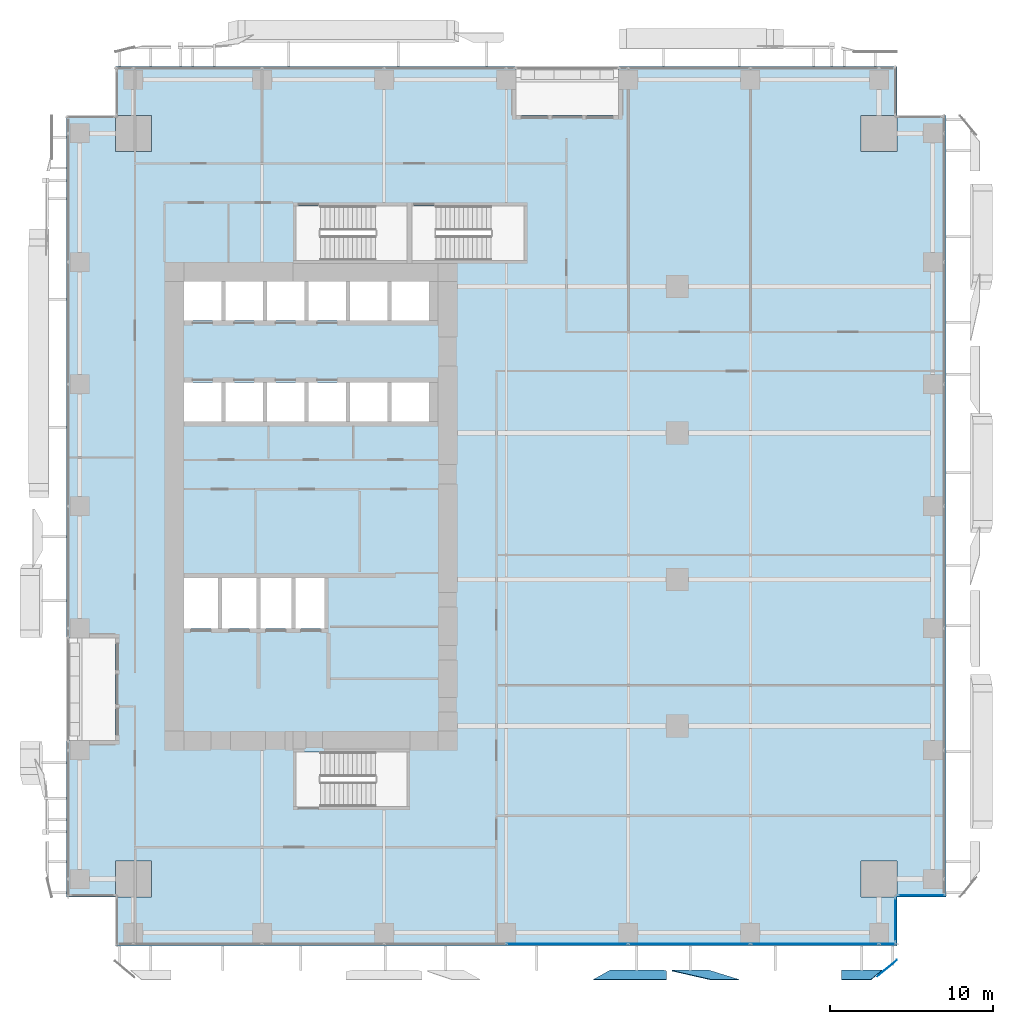
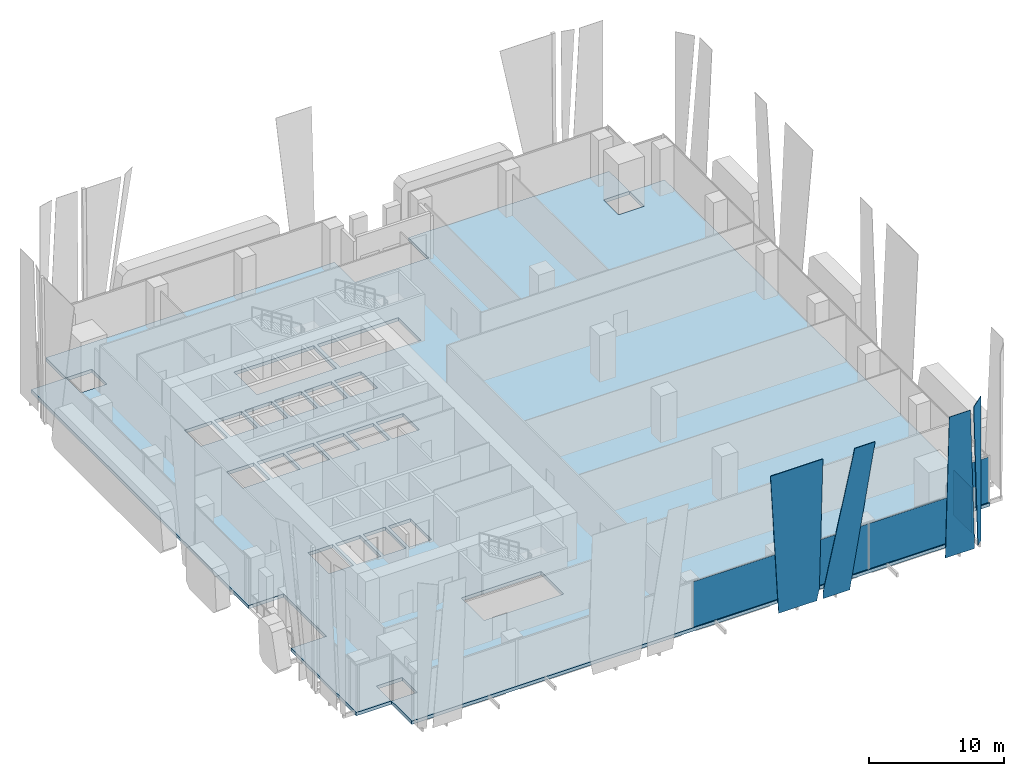
# One storey, part 24 of 36: 10 plates, 1 slab, 3 elements without a shape of their own.
"""IFC4 building model written with IfcOpenShell, lengths in metres."""

from ifc_helpers import new_model, si_unit, direction, frame, origin, origin_2d, place, context, subcontext, project, spatial, polyline, rectangle, outline, extrude, source, transform, mapped, material, layer, layer_set, type_object, element, aggregate, save


model = new_model("IFC4")

# Units and contexts
model_context = context("Model", 3, precision=1e-05, world=origin(), true_north=direction((0.0, 1.0)))
body_context = subcontext(model_context, "Body", "Model", "MODEL_VIEW")
ifc_project = project(units=[si_unit("LENGTHUNIT", "METRE"), si_unit("AREAUNIT", "SQUARE_METRE"), si_unit("VOLUMEUNIT", "CUBIC_METRE"), si_unit("PLANEANGLEUNIT", "RADIAN"), si_unit("MASSUNIT", "GRAM", prefix="KILO")], contexts=[model_context])

# Site, building, storey
site_placement = place(None, origin())
site = spatial("IfcSite", under=ifc_project, at=site_placement, CompositionType="ELEMENT")
building_placement = place(site_placement, origin())
building = spatial("IfcBuilding", under=site, at=building_placement, Name="Khomas Fold Tower", CompositionType="ELEMENT")
storey_placement = place(building_placement, frame((0.0, 0.0, 46.5)))
storey = spatial("IfcBuildingStorey", under=building, at=storey_placement, Name="L09", CompositionType="ELEMENT", Elevation=46.5)

# Plates
ifc_material_1 = material(Name="Clear laminated glass", Category="glass")
ifc_layer_1 = layer(ifc_material_1, 0.0400390625)
ifc_layer_set_1 = layer_set([ifc_layer_1], Name="Clear laminated glass")
plate_type_1 = type_object("IfcPlateType", Name="SK-Clear laminated glass leaf", PredefinedType="SHEET", material=ifc_layer_set_1)
plate_1_placement = place(storey_placement, frame((39.444091796875, -1.4912109375, 0.0), z_axis=(-9.493143e-06, 0.999042279575, 0.043755268614), x_axis=(-0.999999999955, -9.484051e-06, -4.15375e-07)))
element("IfcPlate", 1, at=plate_1_placement, inside=storey, type_object=plate_type_1, Name="OUTER SKIN glass L09 SG105-5", PredefinedType="SHEET", context=body_context, shape_type="SweptSolid", body=[
    extrude(outline(polyline([(0.0, 0.0), (2.2741699217725264, 2.407871064353579e-22), (2.2741699221340834, 0.6798519933286167), (-0.10205078145954606, 13.06255811922811), (-1.8398437501312415, 13.06255811922811), (0.0, 0.0)])), origin(), (0.0, 0.0, -1.0), 0.0400390625),
])
plate_2_placement = place(storey_placement, frame((36.63232421875, -1.4912109375, 0.0), z_axis=(8.362119e-06, 0.999042360684, 0.04375341689), x_axis=(-0.999999999965, 8.354111e-06, 3.65871e-07)))
element("IfcPlate", 2, at=plate_2_placement, inside=storey, type_object=plate_type_1, Name="OUTER SKIN glass L09 SG104-6", PredefinedType="SHEET", context=body_context, shape_type="SweptSolid", body=[
    extrude(outline(polyline([(0.0, 0.0), (3.2460937498865086, 0.0), (4.268310546711942, 13.06255811924748), (-0.19775390625691397, 13.06255811924748), (-0.19775390679618685, 1.0307751610440057), (0.0, 0.0)])), origin(), (0.0, 0.0, -1.0), 0.0400390625),
])
plate_3_placement = place(storey_placement, frame((50.09033203125, -1.4912109375, 0.0), z_axis=(0.0, 0.99904235518, 0.043753543365), x_axis=(-1.0, 0.0, 0.0)))
element("IfcPlate", 3, at=plate_3_placement, inside=storey, type_object=plate_type_1, Name="OUTER SKIN glass L09 SG107-7", PredefinedType="SHEET", context=body_context, shape_type="SweptSolid", body=[
    extrude(outline(polyline([(0.0, 0.0), (2.490234375, 0.0), (2.490234375, 13.062558119247587), (0.68603515625, 13.062558119247587), (0.0, 0.0)])), origin(), (0.0, 0.0, -1.0), 0.0400390625),
])
plate_4_placement = place(storey_placement, frame((50.49072265625, -1.324462890625, 0.0), z_axis=(0.640281800743, -0.768140101562, 3.139211e-06), x_axis=(-0.052426304264, -0.04369577443, 0.997668362693)))
element("IfcPlate", 4, at=plate_4_placement, inside=storey, type_object=plate_type_1, Name="OUTER SKIN glass L09 SG107-8", PredefinedType="SHEET", context=body_context, shape_type="SweptSolid", body=[
    extrude(outline(polyline([(0.0, 0.0), (13.080547921786561, 1.1102230246251565e-16), (12.97436981655017, -1.5521331613809566), (-0.04525103086649028, -0.6614887855036478), (0.0, 0.0)])), origin(), (0.0, 0.0, -1.0), 0.0400390625),
])

# Slab
ifc_material_2 = material(Name="Concrete C40/50", Category="concrete")
ifc_layer_2 = layer(ifc_material_2, 0.300048828125)
ifc_layer_set_2 = layer_set([ifc_layer_2], Name="Concrete C40/50")
slab_type = type_object("IfcSlabType", Name="RC floor slab 300", PredefinedType="FLOOR", material=ifc_layer_set_2)
shared_shape_1 = source(origin(), body_context, "Body", "SweptSolid", [
    extrude(outline(polyline([(0.0, 3.0), (2.9951171875, 3.0), (2.9951171875, 5.205078125), (5.205078125, 5.205078125), (5.205078125, 2.9951171875), (3.0, 2.9951171875), (3.0, 0.0), (51.0, 0.0), (51.0, 2.9951171875), (48.794921875, 2.9951171875), (48.794921875, 5.205078125), (51.0048828125, 5.205078125), (51.0048828125, 3.0), (54.0, 3.0), (54.0, 51.0), (51.0048828125, 51.0), (51.0048828125, 48.794921875), (48.794921875, 48.794921875), (48.794921875, 51.0048828125), (51.0, 51.0048828125), (51.0, 54.0), (33.89990234375, 54.0), (33.89990234375, 51.0), (27.60009765625, 51.0), (27.60009765625, 54.0), (3.0, 54.0), (3.0, 51.0048828125), (5.205078125, 51.0048828125), (5.205078125, 48.794921875), (2.9951171875, 48.794921875), (2.9951171875, 51.0), (0.0, 51.0), (0.0, 18.89990234375), (3.0, 18.89990234375), (3.0, 12.60009765625), (0.0, 12.60009765625), (0.0, 3.0)]), holes=[polyline([(7.199951171875, 19.5), (7.199951171875, 22.60009765625), (9.300048828125, 22.60009765625), (9.300048828125, 19.5), (7.199951171875, 19.5)]), polyline([(7.199951171875, 32.199951171875), (7.199951171875, 34.60009765625), (9.5, 34.60009765625), (9.5, 32.199951171875), (7.199951171875, 32.199951171875)]), polyline([(7.199951171875, 38.39990234375), (7.199951171875, 40.800048828125), (9.5, 40.800048828125), (9.5, 38.39990234375), (7.199951171875, 38.39990234375)]), polyline([(9.550048828125, 19.5), (9.550048828125, 22.60009765625), (11.64990234375, 22.60009765625), (11.64990234375, 19.5), (9.550048828125, 19.5)]), polyline([(9.75, 32.199951171875), (9.75, 34.60009765625), (12.050048828125, 34.60009765625), (12.050048828125, 32.199951171875), (9.75, 32.199951171875)]), polyline([(9.75, 38.39990234375), (9.75, 40.800048828125), (12.050048828125, 40.800048828125), (12.050048828125, 38.39990234375), (9.75, 38.39990234375)]), polyline([(11.89990234375, 19.5), (11.89990234375, 22.60009765625), (13.800048828125, 22.60009765625), (13.800048828125, 19.5), (11.89990234375, 19.5)]), polyline([(12.300048828125, 32.199951171875), (12.300048828125, 34.60009765625), (14.60009765625, 34.60009765625), (14.60009765625, 32.199951171875), (12.300048828125, 32.199951171875)]), polyline([(12.300048828125, 38.39990234375), (12.300048828125, 40.800048828125), (14.60009765625, 40.800048828125), (14.60009765625, 38.39990234375), (12.300048828125, 38.39990234375)]), polyline([(14.050048828125, 19.5), (14.050048828125, 22.60009765625), (15.949951171875, 22.60009765625), (15.949951171875, 19.5), (14.050048828125, 19.5)]), polyline([(14.10009765625, 8.550048828125), (14.10009765625, 11.89990234375), (20.89990234375, 11.89990234375), (20.89990234375, 8.550048828125), (14.10009765625, 8.550048828125)]), polyline([(14.10009765625, 42.10009765625), (14.10009765625, 45.449951171875), (20.89990234375, 45.449951171875), (20.89990234375, 42.10009765625), (14.10009765625, 42.10009765625)]), polyline([(14.85009765625, 32.199951171875), (14.85009765625, 34.60009765625), (17.14990234375, 34.60009765625), (17.14990234375, 32.199951171875), (14.85009765625, 32.199951171875)]), polyline([(14.85009765625, 38.39990234375), (14.85009765625, 40.800048828125), (17.14990234375, 40.800048828125), (17.14990234375, 38.39990234375), (14.85009765625, 38.39990234375)]), polyline([(17.39990234375, 32.199951171875), (17.39990234375, 34.60009765625), (19.699951171875, 34.60009765625), (19.699951171875, 32.199951171875), (17.39990234375, 32.199951171875)]), polyline([(17.39990234375, 38.39990234375), (17.39990234375, 40.800048828125), (19.699951171875, 40.800048828125), (19.699951171875, 38.39990234375), (17.39990234375, 38.39990234375)]), polyline([(19.949951171875, 32.199951171875), (19.949951171875, 34.60009765625), (22.25, 34.60009765625), (22.25, 32.199951171875), (19.949951171875, 32.199951171875)]), polyline([(19.949951171875, 38.39990234375), (19.949951171875, 40.800048828125), (22.25, 40.800048828125), (22.25, 38.39990234375), (19.949951171875, 38.39990234375)]), polyline([(21.199951171875, 42.10009765625), (21.199951171875, 45.449951171875), (28.10009765625, 45.449951171875), (28.10009765625, 42.10009765625), (21.199951171875, 42.10009765625)])]), origin(), (0.0, 0.0, 1.0), 0.300048828125),
])
slab_placement = place(storey_placement, frame((0.0, 0.0, -0.300048828125)))
element("IfcSlab", 5, at=slab_placement, inside=storey, type_object=slab_type, Name="S-L09", PredefinedType="FLOOR", context=body_context, shape_type="MappedRepresentation", body=[
    mapped(shared_shape_1, transform((0.0, 0.0, 0.0))),
])

# Curtain wall, plates
ifc_material_3 = material(Name="Aluminium framed double glazing", Category="aluminium")
curtain_wall_type = type_object("IfcCurtainWallType", Name="SK-Unitised clear-glass wall, growing floors CW1", PredefinedType="NOTDEFINED", material=ifc_material_3)
curtain_wall_1_placement = place(storey_placement, origin())
curtain_wall_1 = element("IfcCurtainWall", 6, at=curtain_wall_1_placement, inside=storey, type_object=curtain_wall_type, Name="CW1 run L09 00-0", PredefinedType="NOTDEFINED")
ifc_material_4 = material(Name="Clear double glazed unit")
ifc_layer_3 = layer(ifc_material_4, 0.031982421875)
ifc_layer_set_3 = layer_set([ifc_layer_3], Name="Clear double glazed unit")
plate_type_2 = type_object("IfcPlateType", Name="SK-Unitised clear-glass wall, growing floors glass panel CW1-P", PredefinedType="CURTAIN_PANEL", material=ifc_layer_set_3)
shared_shape_2 = source(origin(), body_context, "Body", "SweptSolid", [
    extrude(rectangle(XDim=7.840087890625, YDim=0.031982421875, at=origin_2d()), origin(), (0.0, 0.0, 1.0), 4.080078125),
])
plate_5_placement = place(storey_placement, frame((45.949951171875, 0.10009765625, 0.0), z_axis=(0.0, 0.0, 1.0), x_axis=(1.0, 0.0, 0.0)))
plate_5 = element("IfcPlate", 7, at=plate_5_placement, type_object=plate_type_2, Name="CW1 glass panel 7", PredefinedType="CURTAIN_PANEL", context=body_context, shape_type="MappedRepresentation", body=[
    mapped(shared_shape_2, transform((0.0, 0.0, 0.0))),
])
shared_shape_3 = source(origin(), body_context, "Body", "SweptSolid", [
    extrude(rectangle(XDim=7.43994140625, YDim=0.031982421875, at=origin_2d()), origin(), (0.0, 0.0, 1.0), 4.080078125),
])
plate_6_placement = place(storey_placement, frame((30.75, 0.10009765625, 0.0), z_axis=(0.0, 0.0, 1.0), x_axis=(1.0, 0.0, 0.0)))
plate_6 = element("IfcPlate", 8, at=plate_6_placement, type_object=plate_type_2, Name="CW1 glass panel 5", PredefinedType="CURTAIN_PANEL", context=body_context, shape_type="MappedRepresentation", body=[
    mapped(shared_shape_3, transform((0.0, 0.0, 0.0))),
])
plate_7_placement = place(storey_placement, frame((38.25, 0.10009765625, 0.0), z_axis=(0.0, 0.0, 1.0), x_axis=(1.0, 0.0, 0.0)))
plate_7 = element("IfcPlate", 9, at=plate_7_placement, type_object=plate_type_2, Name="CW1 glass panel 6", PredefinedType="CURTAIN_PANEL", context=body_context, shape_type="MappedRepresentation", body=[
    mapped(shared_shape_3, transform((0.0, 0.0, 0.0))),
])
shared_shape_4 = source(origin(), body_context, "Body", "SweptSolid", [
    extrude(rectangle(XDim=1.010009765625, YDim=0.031982421875, at=origin_2d()), origin(), (0.0, 0.0, 1.0), 4.080078125),
])
plate_8_placement = place(storey_placement, frame((50.43505859375, 0.10009765625, 0.0), z_axis=(0.0, 0.0, 1.0), x_axis=(1.0, 0.0, 0.0)))
plate_8 = element("IfcPlate", 10, at=plate_8_placement, type_object=plate_type_2, Name="CW1 glass panel 8", PredefinedType="CURTAIN_PANEL", context=body_context, shape_type="MappedRepresentation", body=[
    mapped(shared_shape_4, transform((0.0, 0.0, 0.0))),
])
aggregate(curtain_wall_1, [plate_6, plate_7, plate_5, plate_8])

# Curtain wall, plate
curtain_wall_2_placement = place(storey_placement, origin())
curtain_wall_2 = element("IfcCurtainWall", 11, at=curtain_wall_2_placement, inside=storey, type_object=curtain_wall_type, Name="CW1 corner return L09 01", PredefinedType="NOTDEFINED")
shared_shape_5 = source(origin(), body_context, "Body", "SweptSolid", [
    extrude(rectangle(XDim=2.679931640625, YDim=0.031982421875, at=origin_2d()), origin(), (0.0, 0.0, 1.0), 4.080078125),
])
plate_9_placement = place(storey_placement, frame((50.89990234375, 1.60009765625, 0.0), z_axis=(0.0, 0.0, 1.0), x_axis=(0.0, 1.0, 0.0)))
plate_9 = element("IfcPlate", 12, at=plate_9_placement, type_object=plate_type_2, Name="CW1 glass panel 1", PredefinedType="CURTAIN_PANEL", context=body_context, shape_type="MappedRepresentation", body=[
    mapped(shared_shape_5, transform((0.0, 0.0, 0.0))),
])
aggregate(curtain_wall_2, [plate_9])

curtain_wall_3_placement = place(storey_placement, origin())
curtain_wall_3 = element("IfcCurtainWall", 13, at=curtain_wall_3_placement, inside=storey, type_object=curtain_wall_type, Name="CW1 corner return L09 02", PredefinedType="NOTDEFINED")
shared_shape_6 = source(origin(), body_context, "Body", "SweptSolid", [
    extrude(rectangle(XDim=2.8798828125, YDim=0.031982421875, at=origin_2d()), origin(), (0.0, 0.0, 1.0), 4.080078125),
])
plate_10_placement = place(storey_placement, frame((52.5, 3.10009765625, 0.0), z_axis=(0.0, 0.0, 1.0), x_axis=(1.0, 0.0, 0.0)))
plate_10 = element("IfcPlate", 14, at=plate_10_placement, type_object=plate_type_2, Name="CW1 glass panel 1", PredefinedType="CURTAIN_PANEL", context=body_context, shape_type="MappedRepresentation", body=[
    mapped(shared_shape_6, transform((0.0, 0.0, 0.0))),
])
aggregate(curtain_wall_3, [plate_10])

save(model, "model.ifc")
